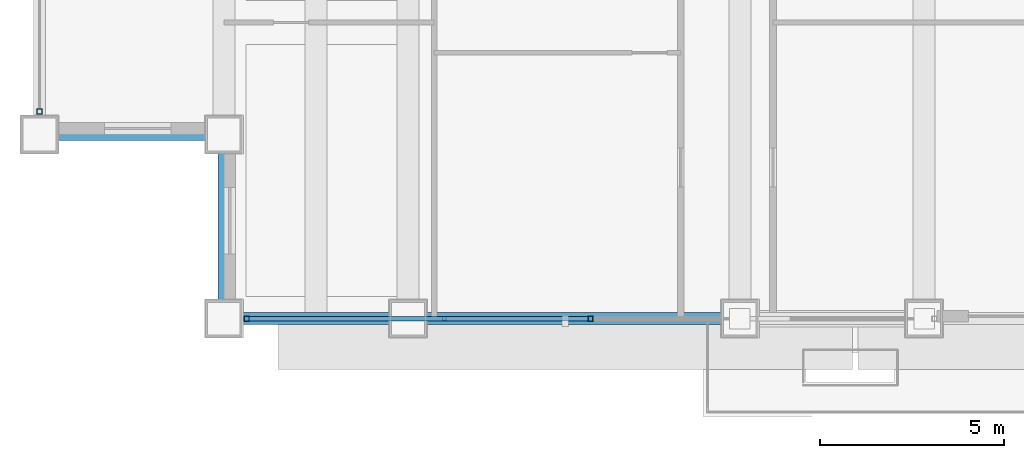
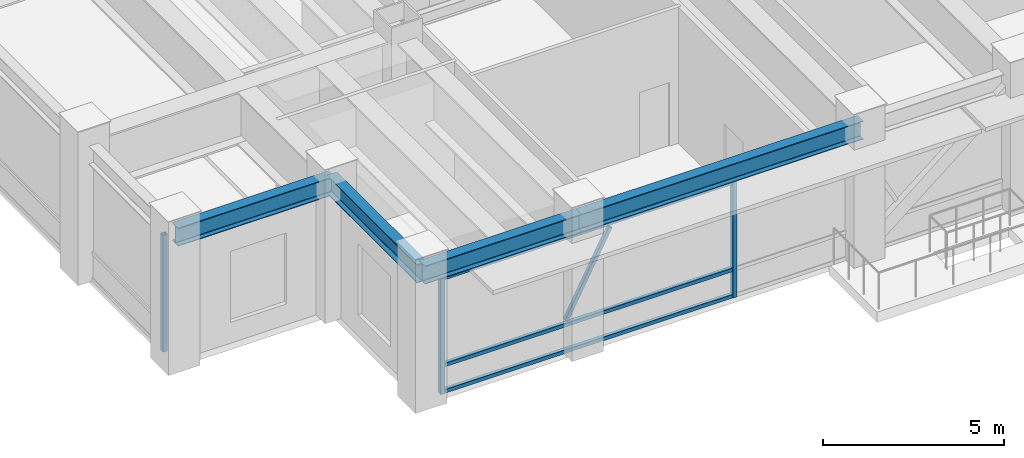
# One storey, part 2 of 33: 7 members, 4 beams, 2 elements without a shape of their own.
"""IFC4 building model written with IfcOpenShell, lengths in metres."""

from ifc_helpers import new_model, si_unit, direction, frame, origin, origin_2d, place, context, subcontext, project, spatial, hollow_rectangle, i_section, extrude, source, transform, mapped, material, material_profile, profile_set, type_object, element, aggregate, save


model = new_model("IFC4")

# Units and contexts
model_context = context("Model", 3, precision=1e-05, world=origin(), true_north=direction((0.0, 1.0)))
body_context = subcontext(model_context, "Body", "Model", "MODEL_VIEW")
ifc_project = project(units=[si_unit("LENGTHUNIT", "METRE"), si_unit("AREAUNIT", "SQUARE_METRE"), si_unit("VOLUMEUNIT", "CUBIC_METRE"), si_unit("PLANEANGLEUNIT", "RADIAN"), si_unit("MASSUNIT", "GRAM", prefix="KILO")], contexts=[model_context])

# Site, building, storey
site_placement = place(None, origin())
site = spatial("IfcSite", under=ifc_project, at=site_placement, CompositionType="ELEMENT")
building_placement = place(site_placement, origin())
building = spatial("IfcBuilding", under=site, at=building_placement, Name="Khorayat Bourse Tower", CompositionType="ELEMENT")
storey_placement = place(building_placement, frame((0.0, 0.0, 263.10009765625)))
storey = spatial("IfcBuildingStorey", under=building, at=storey_placement, Name="L62", CompositionType="ELEMENT", Elevation=263.10009765625)

# Beams
ifc_material_1 = material(Name="Steel ASTM A992 Grade 50", Category="steel")
ifc_material_profile_1 = material_profile(ifc_material_1, i_section(OverallWidth=0.324951171875, OverallDepth=0.615966796875, WebThickness=0.013916015625, FlangeThickness=0.021484375, FilletRadius=0.01611328125, at=origin_2d()), Name="W610X174")
ifc_profile_set_1 = profile_set([ifc_material_profile_1], Name="Steel ASTM A992 Grade 50")
beam_type = type_object("IfcBeamType", Name="BM-SPAN-610", PredefinedType="SPANDREL", material=ifc_profile_set_1)
shared_shape_1 = source(origin(), body_context, "Body", "SweptSolid", [
    extrude(i_section(OverallWidth=0.324951171875, OverallDepth=0.615966796875, WebThickness=0.013916015625, FlangeThickness=0.021484375, FilletRadius=0.01611328125, at=origin_2d()), origin(), (0.0, 0.0, 1.0), 9.0),
])
beam_placement = place(storey_placement, frame((-20.0, -30.0, 4.2919921875), z_axis=(1.0, 0.0, 0.0), x_axis=(0.0, 1.0, 0.0)))
element("IfcBeam", 1, at=beam_placement, inside=storey, type_object=beam_type, Name="L62 BM-SPAN-610 BM-L62-SPN-025", PredefinedType="SPANDREL", context=body_context, shape_type="MappedRepresentation", body=[
    mapped(shared_shape_1, transform((0.0, 0.0, 0.0), scale=1.0)),
])
shared_shape_2 = source(origin(), body_context, "Body", "SweptSolid", [
    extrude(i_section(OverallWidth=0.324951171875, OverallDepth=0.615966796875, WebThickness=0.013916015625, FlangeThickness=0.021484375, FilletRadius=0.01611328125, at=origin_2d()), origin(), (0.0, 0.0, 1.0), 5.0),
])
for number, where, z_axis, x_axis, name in (
    (2, (-25.0, -30.0, 4.2919921875), (1.0, 0.0, 0.0), (0.0, 1.0, 0.0), "L62 BM-SPAN-610 BM-L62-SPN-024"),
    (3, (-30.0, -25.0, 4.2919921875), (1.0, 0.0, 0.0), (0.0, 1.0, 0.0), "L62 BM-SPAN-610 BM-L62-SPN-062"),
    (4, (-25.0, -30.0, 4.2919921875), (0.0, 1.0, 0.0), (-1.0, 0.0, 0.0), "L62 BM-SPAN-610 BM-L62-SPN-063"),
):
    element("IfcBeam", number, at=place(storey_placement, frame(where, z_axis=z_axis, x_axis=x_axis)), inside=storey, type_object=beam_type, Name=name, PredefinedType="SPANDREL", context=body_context, shape_type="MappedRepresentation", body=[
        mapped(shared_shape_2, transform((0.0, 0.0, 0.0), scale=1.0)),
    ])

# Curtain wall, members
ifc_material_2 = material(Name="Aluminium EN AW-6063 T6", Category="aluminium")
curtain_wall_type = type_object("IfcCurtainWallType", Name="CW-SYS-05", PredefinedType="NOTDEFINED", material=ifc_material_2)
curtain_wall_1_placement = place(storey_placement, origin())
curtain_wall_1 = element("IfcCurtainWall", 5, at=curtain_wall_1_placement, inside=storey, type_object=curtain_wall_type, Name="L62 Curtain Wall CW-L62-S1", PredefinedType="NOTDEFINED")
ifc_material_profile_2 = material_profile(ifc_material_2, hollow_rectangle(XDim=0.139892578125, YDim=0.139892578125, WallThickness=0.006103515625, at=origin_2d()), Name="ALU 140x140x6")
ifc_profile_set_2 = profile_set([ifc_material_profile_2], Name="Aluminium EN AW-6063 T6")
member_type_1 = type_object("IfcMemberType", Name="CWM-VERT-140", PredefinedType="MULLION", material=ifc_profile_set_2)
shared_shape_3 = source(origin(), body_context, "Body", "SweptSolid", [
    extrude(hollow_rectangle(XDim=0.139892578125, YDim=0.139892578125, WallThickness=0.006103515625, at=origin_2d()), origin(), (0.0, 0.0, 1.0), 3.949951171875),
])
member_1_placement = place(storey_placement, frame((-24.3798828125, -30.0, 0.0), z_axis=(0.0, 0.0, 1.0), x_axis=(0.0, 1.0, 0.0)))
member_1 = element("IfcMember", 6, at=member_1_placement, type_object=member_type_1, Name="CW-L62-S1 Vertical Mullion 1", PredefinedType="MULLION", context=body_context, shape_type="MappedRepresentation", body=[
    mapped(shared_shape_3, transform((0.0, 0.0, 0.0), scale=1.0)),
])
member_2_placement = place(storey_placement, frame((-15.050048828125, -30.0, 0.0), z_axis=(0.0, 0.0, 1.0), x_axis=(0.0, 1.0, 0.0)))
member_2 = element("IfcMember", 7, at=member_2_placement, type_object=member_type_1, Name="CW-L62-S1 Vertical Mullion 2", PredefinedType="MULLION", context=body_context, shape_type="MappedRepresentation", body=[
    mapped(shared_shape_3, transform((0.0, 0.0, 0.0), scale=1.0)),
])

# Curtain wall, member
curtain_wall_2_placement = place(storey_placement, origin())
curtain_wall_2 = element("IfcCurtainWall", 8, at=curtain_wall_2_placement, inside=storey, type_object=curtain_wall_type, Name="L62 Curtain Wall CW-L62-W1", PredefinedType="NOTDEFINED")
member_3_placement = place(storey_placement, frame((-30.0, -24.3798828125, 0.0), z_axis=(0.0, 0.0, 1.0), x_axis=(-1.0, 0.0, 0.0)))
member_3 = element("IfcMember", 9, at=member_3_placement, type_object=member_type_1, Name="CW-L62-W1 Vertical Mullion 1", PredefinedType="MULLION", context=body_context, shape_type="MappedRepresentation", body=[
    mapped(shared_shape_3, transform((0.0, 0.0, 0.0), scale=1.0)),
])
aggregate(curtain_wall_2, [member_3])

# Member
ifc_material_profile_3 = material_profile(ifc_material_2, hollow_rectangle(XDim=0.1201171875, YDim=0.1201171875, WallThickness=0.0048828125, at=origin_2d()), Name="ALU 120x120x5")
ifc_profile_set_3 = profile_set([ifc_material_profile_3], Name="Aluminium EN AW-6063 T6")
member_type_2 = type_object("IfcMemberType", Name="CWT-HORZ-120", PredefinedType="USERDEFINED", material=ifc_profile_set_3)
shared_shape_4 = source(origin(), body_context, "Body", "SweptSolid", [
    extrude(hollow_rectangle(XDim=0.1201171875, YDim=0.1201171875, WallThickness=0.0048828125, at=origin_2d()), origin(), (0.0, 0.0, 1.0), 9.18994140625),
])
member_4_placement = place(storey_placement, frame((-24.31005859375, -30.0, 0.059814453125), z_axis=(1.0, 0.0, 0.0), x_axis=(0.0, 1.0, 0.0)))
member_4 = element("IfcMember", 10, at=member_4_placement, type_object=member_type_2, Name="CW-L62-S1 Horizontal Transom 1-1", ObjectType="TRANSOM", PredefinedType="USERDEFINED", context=body_context, shape_type="MappedRepresentation", body=[
    mapped(shared_shape_4, transform((0.0, 0.0, 0.0), scale=1.0)),
])

member_5_placement = place(storey_placement, frame((-24.31005859375, -30.0, 0.949951171875), z_axis=(1.0, 0.0, 0.0), x_axis=(0.0, 1.0, 0.0)))
member_5 = element("IfcMember", 11, at=member_5_placement, type_object=member_type_2, Name="CW-L62-S1 Horizontal Transom 1-2", ObjectType="TRANSOM", PredefinedType="USERDEFINED", context=body_context, shape_type="MappedRepresentation", body=[
    mapped(shared_shape_4, transform((0.0, 0.0, 0.0), scale=1.0)),
])

member_6_placement = place(storey_placement, frame((-24.31005859375, -30.0, 3.889892578125), z_axis=(1.0, 0.0, 0.0), x_axis=(0.0, 1.0, 0.0)))
member_6 = element("IfcMember", 12, at=member_6_placement, type_object=member_type_2, Name="CW-L62-S1 Horizontal Transom 1-3", ObjectType="TRANSOM", PredefinedType="USERDEFINED", context=body_context, shape_type="MappedRepresentation", body=[
    mapped(shared_shape_4, transform((0.0, 0.0, 0.0), scale=1.0)),
])

ifc_material_profile_4 = material_profile(ifc_material_2, hollow_rectangle(XDim=0.1201171875, YDim=0.1201171875, WallThickness=0.0048828125, at=origin_2d()), Name="ALU 120x120x5")
ifc_profile_set_4 = profile_set([ifc_material_profile_4], Name="Aluminium EN AW-6063 T6")
member_type_3 = type_object("IfcMemberType", Name="CWM-DIAG-120", PredefinedType="MULLION", material=ifc_profile_set_4)
shared_shape_5 = source(origin(), body_context, "Body", "SweptSolid", [
    extrude(hollow_rectangle(XDim=0.1201171875, YDim=0.1201171875, WallThickness=0.0048828125, at=origin_2d()), origin(), (0.0, 0.0, 1.0), 3.006103515625),
])
member_7_placement = place(storey_placement, frame((-20.4150390625, -30.0, 1.08984375), z_axis=(0.465763168855, 0.0, 0.884909413747), x_axis=(0.0, 1.0, 0.0)))
member_7 = element("IfcMember", 13, at=member_7_placement, type_object=member_type_3, Name="CW-L62-S1 Faceted Diagonal Mullion 1", PredefinedType="MULLION", context=body_context, shape_type="MappedRepresentation", body=[
    mapped(shared_shape_5, transform((0.0, 0.0, 0.0), scale=1.0)),
])

aggregate(curtain_wall_1, [member_1, member_2, member_4, member_5, member_6, member_7])

save(model, "model.ifc")
